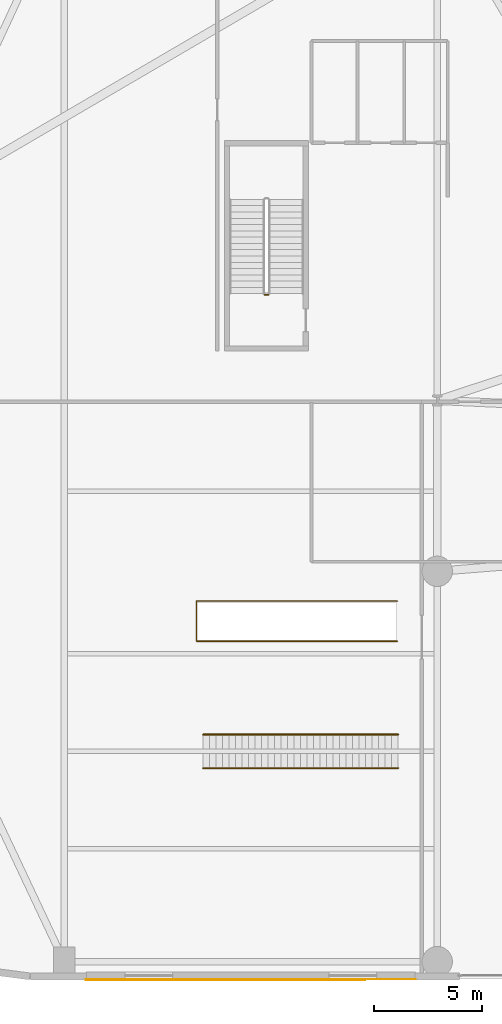
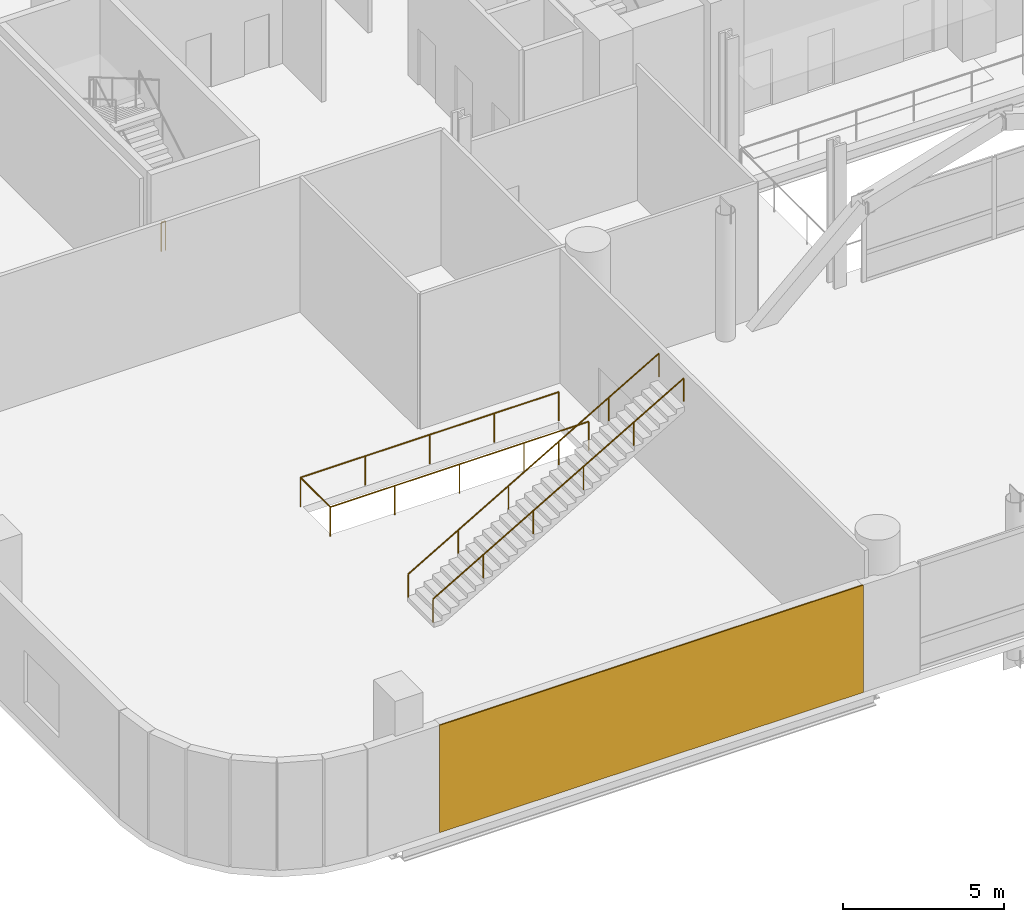
# One storey, part 30 of 36: 4 railings, 1 covering.
"""IFC4 building model written with IfcOpenShell, lengths in metres."""

from ifc_helpers import new_model, si_unit, direction, frame, origin, origin_2d, place, context, subcontext, project, spatial, rectangle, circle, extrude, source, transform, mapped, material, layer, layer_set, type_object, element, save


model = new_model("IFC4")

# Units and contexts
model_context = context("Model", 3, precision=1e-05, world=origin(), true_north=direction((0.0, 1.0)))
body_context = subcontext(model_context, "Body", "Model", "MODEL_VIEW")
ifc_project = project(units=[si_unit("LENGTHUNIT", "METRE"), si_unit("AREAUNIT", "SQUARE_METRE"), si_unit("VOLUMEUNIT", "CUBIC_METRE"), si_unit("PLANEANGLEUNIT", "RADIAN"), si_unit("MASSUNIT", "GRAM", prefix="KILO")], contexts=[model_context])

# Site, building, storey
site_placement = place(None, origin())
site = spatial("IfcSite", under=ifc_project, at=site_placement, CompositionType="ELEMENT")
building_placement = place(site_placement, origin())
building = spatial("IfcBuilding", under=site, at=building_placement, Name="Varnelok Gate Tower", CompositionType="ELEMENT")
storey_placement = place(building_placement, frame((0.0, 0.0, 10.800048828125)))
storey = spatial("IfcBuildingStorey", under=building, at=storey_placement, Name="L02", CompositionType="ELEMENT", Elevation=10.800048828125)

# Railings
ifc_material_1 = material(Name="Brushed Stainless Steel AISI 316", Category="steel")
railing_type_1 = type_object("IfcRailingType", Name="RL-HANDRAIL-900", PredefinedType="HANDRAIL", material=ifc_material_1)
for number, where, name in (
    (1, (13.60009765625, 9.72509765625, 0.174072265625), "ST-4-L02W Handrail L"),
    (2, (13.60009765625, 11.27490234375, 0.174072265625), "ST-4-L02W Handrail R"),
):
    element("IfcRailing", number, at=place(storey_placement, frame(where)), inside=storey, type_object=railing_type_1, Name=name, PredefinedType="HANDRAIL", context=body_context, shape_type="SweptSolid", body=[
        extrude(circle(Radius=0.02392578125, at=origin_2d()), frame((0.0, 0.0, 0.8759765625), z_axis=(0.864787960788, 0.0, 0.502137215187), x_axis=(0.0, 1.0, 0.0)), (0.0, 0.0, 1.0), 10.4072265625),
        extrude(circle(Radius=0.02099609375, at=origin_2d()), origin(), (0.0, 0.0, 1.0), 0.851806640625),
        extrude(circle(Radius=0.02099609375, at=origin_2d()), frame((1.800048828125, 0.0, 1.045166015625)), (0.0, 0.0, 1.0), 0.851806640625),
        extrude(circle(Radius=0.02099609375, at=origin_2d()), frame((3.60009765625, 0.0, 2.09033203125)), (0.0, 0.0, 1.0), 0.851806640625),
        extrude(circle(Radius=0.02099609375, at=origin_2d()), frame((5.39990234375, 0.0, 3.135498046875)), (0.0, 0.0, 1.0), 0.851806640625),
        extrude(circle(Radius=0.02099609375, at=origin_2d()), frame((7.199951171875, 0.0, 4.1806640625)), (0.0, 0.0, 1.0), 0.851806640625),
        extrude(circle(Radius=0.02099609375, at=origin_2d()), frame((9.0, 0.0, 5.225830078125)), (0.0, 0.0, 1.0), 0.851806640625),
    ])
ifc_material_2 = material(Name="Galvanized Steel Grade S350GD", Category="steel")
railing_type_2 = type_object("IfcRailingType", Name="RL-STAIR-GUARD1120", PredefinedType="GUARDRAIL", material=ifc_material_2)
railing_1_placement = place(storey_placement, frame((16.60009765625, 31.550048828125, 0.0)))
element("IfcRailing", 3, at=railing_1_placement, inside=storey, type_object=railing_type_2, Name="L02 ST-3 stair guard 4", PredefinedType="GUARDRAIL", context=body_context, shape_type="SweptSolid", body=[
    extrude(circle(Radius=0.02392578125, at=origin_2d()), frame((0.0, 0.0, 1.09619140625), z_axis=(-1.0, 0.0, 0.0), x_axis=(0.0, -1.0, 0.0)), (0.0, 0.0, 1.0), 0.150146484375),
    extrude(circle(Radius=0.02099609375, at=origin_2d()), origin(), (0.0, 0.0, 1.0), 1.072021484375),
    extrude(circle(Radius=0.02099609375, at=origin_2d()), frame((-0.150146484375, 0.0, 0.0)), (0.0, 0.0, 1.0), 1.072021484375),
])
railing_2_placement = place(storey_placement, frame((22.56005859375, 15.574951171875, 0.0)))
element("IfcRailing", 4, at=railing_2_placement, inside=storey, type_object=railing_type_2, Name="L02 Stair ST-4 Well Guardrail", PredefinedType="GUARDRAIL", context=body_context, shape_type="SweptSolid", body=[
    extrude(circle(Radius=0.02392578125, at=origin_2d()), frame((0.0, 0.0, 1.09619140625), z_axis=(-1.0, 0.0, 0.0), x_axis=(0.0, -1.0, 0.0)), (0.0, 0.0, 1.0), 9.27001953125),
    extrude(circle(Radius=0.02392578125, at=origin_2d()), frame((-9.27001953125, 0.0, 1.09619140625), z_axis=(0.0, 1.0, 0.0), x_axis=(-1.0, 0.0, 0.0)), (0.0, 0.0, 1.0), 1.85009765625),
    extrude(circle(Radius=0.02392578125, at=origin_2d()), frame((-9.27001953125, 1.85009765625, 1.09619140625), z_axis=(1.0, 0.0, 0.0), x_axis=(0.0, 1.0, 0.0)), (0.0, 0.0, 1.0), 9.27001953125),
    extrude(circle(Radius=0.02099609375, at=origin_2d()), origin(), (0.0, 0.0, 1.0), 1.072021484375),
    extrude(circle(Radius=0.02099609375, at=origin_2d()), frame((-2.3173828125, 0.0, 0.0)), (0.0, 0.0, 1.0), 1.072021484375),
    extrude(circle(Radius=0.02099609375, at=origin_2d()), frame((-4.635009765625, 0.0, 0.0)), (0.0, 0.0, 1.0), 1.072021484375),
    extrude(circle(Radius=0.02099609375, at=origin_2d()), frame((-6.95263671875, 0.0, 0.0)), (0.0, 0.0, 1.0), 1.072021484375),
    extrude(circle(Radius=0.02099609375, at=origin_2d()), frame((-9.27001953125, 0.0, 0.0)), (0.0, 0.0, 1.0), 1.072021484375),
    extrude(circle(Radius=0.02099609375, at=origin_2d()), frame((-9.27001953125, 1.85009765625, 0.0)), (0.0, 0.0, 1.0), 1.072021484375),
    extrude(circle(Radius=0.02099609375, at=origin_2d()), frame((-6.95263671875, 1.85009765625, 0.0)), (0.0, 0.0, 1.0), 1.072021484375),
    extrude(circle(Radius=0.02099609375, at=origin_2d()), frame((-4.635009765625, 1.85009765625, 0.0)), (0.0, 0.0, 1.0), 1.072021484375),
    extrude(circle(Radius=0.02099609375, at=origin_2d()), frame((-2.3173828125, 1.85009765625, 0.0)), (0.0, 0.0, 1.0), 1.072021484375),
    extrude(circle(Radius=0.02099609375, at=origin_2d()), frame((0.0, 1.85009765625, 0.0)), (0.0, 0.0, 1.0), 1.072021484375),
])

# Covering
ifc_material_3 = material(Name="Glazed Architectural Terracotta Ceramic", Category="masonry")
ifc_layer = layer(ifc_material_3, 0.044921875)
ifc_layer_set = layer_set([ifc_layer], Name="Glazed Architectural Terracotta Ceramic")
covering_type = type_object("IfcCoveringType", Name="COV-TERRA-CLAD", PredefinedType="CLADDING", material=ifc_layer_set)
shared_shape = source(origin(), body_context, "Body", "SweptSolid", [
    extrude(rectangle(XDim=15.199951171875, YDim=0.044921875, at=origin_2d()), origin(), (0.0, 0.0, 1.0), 4.070068359375),
])
covering_placement = place(storey_placement, frame((15.800048828125, -0.02197265625, 0.0), z_axis=(0.0, 0.0, 1.0), x_axis=(1.0, 0.0, 0.0)))
element("IfcCovering", 5, at=covering_placement, inside=storey, type_object=covering_type, Name="L02 Terracotta Arch Rainscreen Cladding S1", PredefinedType="CLADDING", context=body_context, shape_type="MappedRepresentation", body=[
    mapped(shared_shape, transform((0.0, 0.0, 0.0), scale=1.0)),
])

save(model, "model.ifc")
